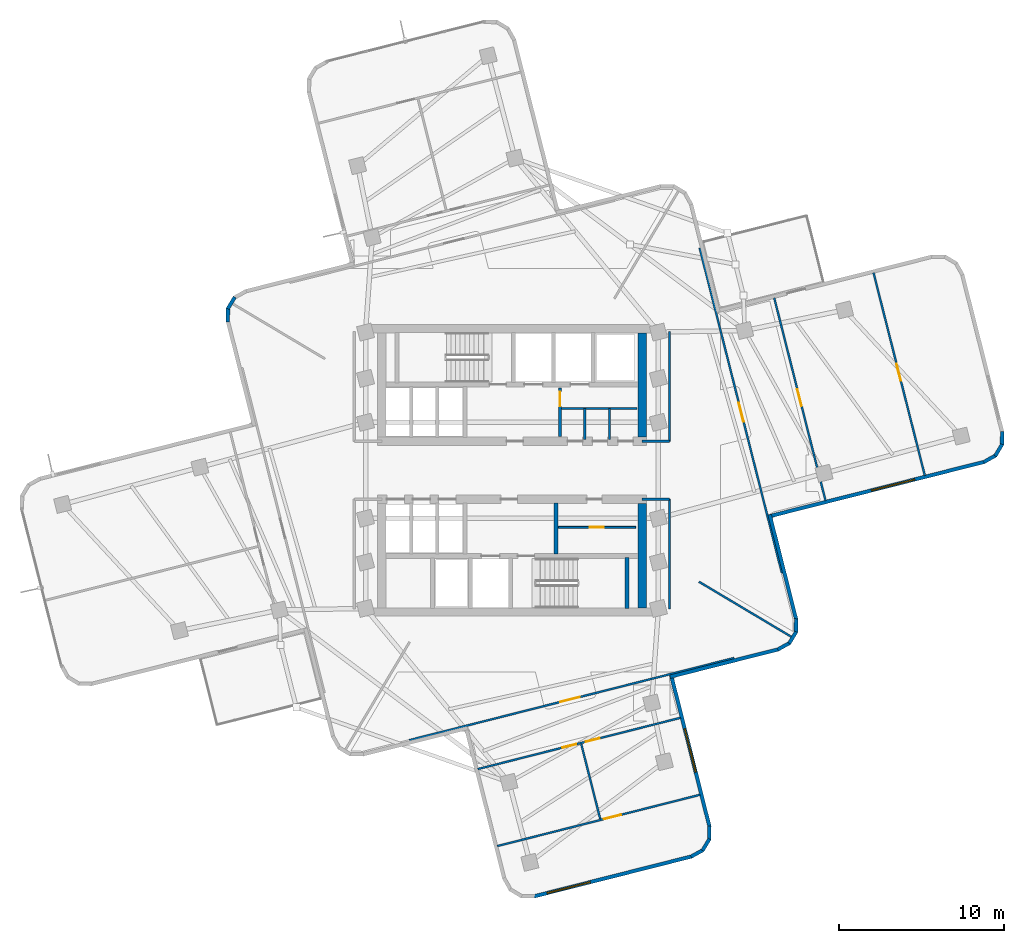
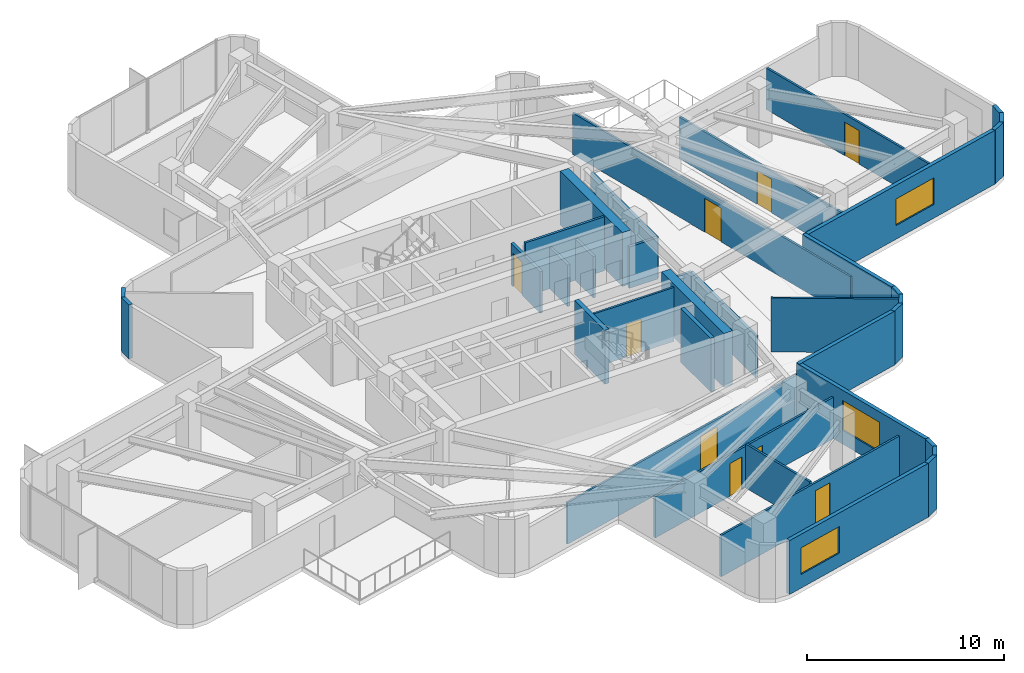
# One storey, part 7 of 11: 37 walls, 9 doors, 3 windows, 12 openings.
"""IFC4 building model written with IfcOpenShell, lengths in metres."""

from ifc_helpers import new_model, si_unit, direction, frame, frame_2d, origin, place, context, subcontext, project, spatial, rectangle, extrude, material, layer, layer_set, type_object, element, fill, save


model = new_model("IFC4")

# Units and contexts
model_context = context("Model", 3, precision=1e-05, world=origin(), true_north=direction((0.0, 1.0)))
body_context = subcontext(model_context, "Body", "Model", "MODEL_VIEW")
ifc_project = project(units=[si_unit("LENGTHUNIT", "METRE"), si_unit("AREAUNIT", "SQUARE_METRE"), si_unit("VOLUMEUNIT", "CUBIC_METRE"), si_unit("PLANEANGLEUNIT", "RADIAN"), si_unit("MASSUNIT", "GRAM", prefix="KILO")], contexts=[model_context])

# Site, building, storey
site_placement = place(None, origin())
site = spatial("IfcSite", under=ifc_project, at=site_placement, CompositionType="ELEMENT")
building_placement = place(site_placement, origin())
building = spatial("IfcBuilding", under=site, at=building_placement, Name="Solmarez Civic Tower", CompositionType="ELEMENT")
storey_placement = place(building_placement, frame((0.0, 0.0, 127.080078125)))
storey = spatial("IfcBuildingStorey", under=building, at=storey_placement, Name="L33", CompositionType="ELEMENT", Elevation=127.080078125)

# Walls
ifc_material_1 = material(Name="Concrete C60/75", Category="concrete")
ifc_layer_1 = layer(ifc_material_1, 0.5)
ifc_layer_set_1 = layer_set([ifc_layer_1], Name="Concrete C60/75")
wall_type_1 = type_object("IfcWallType", Name="WALL-CORE-500", PredefinedType="SHEAR", material=ifc_layer_set_1)
for number, where, z_axis, x_axis, name in (
    (1, (7.8701171875, 8.31005859375, 0.0), (0.0, 0.0, 1.0), (0.0, -1.0, 0.0), "L33 Split-Core Structural Wall NCW-E-L33"),
    (2, (7.8701171875, -2.0, 0.0), (0.0, 0.0, 1.0), (0.0, -1.0, 0.0), "L33 Split-Core Structural Wall SCW-E-L33"),
):
    element("IfcWall", number, at=place(storey_placement, frame(where, z_axis=z_axis, x_axis=x_axis)), inside=storey, type_object=wall_type_1, Name=name, PredefinedType="SHEAR", context=body_context, shape_type="SweptSolid", body=[
        extrude(rectangle(XDim=6.31005859375, YDim=0.5, at=frame_2d((3.155029296875, 0.0))), origin(), (0.0, 0.0, 1.0), 3.33984375),
    ])
ifc_material_2 = material(Name="Precast concrete C40/50", Category="concrete")
ifc_layer_2 = layer(ifc_material_2, 0.219970703125)
ifc_layer_set_2 = layer_set([ifc_layer_2], Name="Precast concrete C40/50")
wall_type_2 = type_object("IfcWallType", Name="WALL-EXT-220", PredefinedType="SOLIDWALL", material=ifc_layer_set_2)
wall_1_placement = place(storey_placement, frame((-17.172119140625, 8.972900390625, 0.0), z_axis=(0.0, 0.0, 1.0), x_axis=(0.013464821393, 0.999909345183, 0.0)))
element("IfcWall", 3, at=wall_1_placement, inside=storey, type_object=wall_type_2, Name="L33 Exterior Precast Wall 14", PredefinedType="SOLIDWALL", context=body_context, shape_type="SweptSolid", body=[
    extrude(rectangle(XDim=0.833984375, YDim=0.219970703125, at=frame_2d((0.4169921875, 0.0))), origin(), (0.0, 0.0, 1.0), 3.33984375),
])
wall_2_placement = place(storey_placement, frame((-17.174072265625, 9.760986328125, 0.0), z_axis=(0.0, 0.0, 1.0), x_axis=(0.512960801038, 0.858412031951, 0.0)))
element("IfcWall", 4, at=wall_2_placement, inside=storey, type_object=wall_type_2, Name="L33 Exterior Precast Wall 15", PredefinedType="SOLIDWALL", context=body_context, shape_type="SweptSolid", body=[
    extrude(rectangle(XDim=0.819091796875, YDim=0.219970703125, at=frame_2d((0.40966796875, 0.0))), origin(), (0.0, 0.0, 1.0), 3.33984375),
])
wall_3_placement = place(storey_placement, frame((29.623046875, 2.35693359375, 0.0), z_axis=(0.0, 0.0, 1.0), x_axis=(-0.013172159236, -0.999913243347, 0.0)))
element("IfcWall", 5, at=wall_3_placement, inside=storey, type_object=wall_type_2, Name="L33 Exterior Precast Wall 43", PredefinedType="SOLIDWALL", context=body_context, shape_type="SweptSolid", body=[
    extrude(rectangle(XDim=0.833984375, YDim=0.219970703125, at=frame_2d((0.4169921875, 0.0))), origin(), (0.0, 0.0, 1.0), 3.33984375),
])
wall_4_placement = place(storey_placement, frame((29.625, 1.569091796875, 0.0), z_axis=(0.0, 0.0, 1.0), x_axis=(-0.513266477087, -0.858229295409, 0.0)))
element("IfcWall", 6, at=wall_4_placement, inside=storey, type_object=wall_type_2, Name="L33 Exterior Precast Wall 44", PredefinedType="SOLIDWALL", context=body_context, shape_type="SweptSolid", body=[
    extrude(rectangle(XDim=0.818115234375, YDim=0.219970703125, at=frame_2d((0.4091796875, 0.0))), origin(), (0.0, 0.0, 1.0), 3.33984375),
])
wall_5_placement = place(storey_placement, frame((29.239990234375, 0.89990234375, 0.0), z_axis=(0.0, 0.0, 1.0), x_axis=(-0.873148499647, -0.487454303052, 0.0)))
element("IfcWall", 7, at=wall_5_placement, inside=storey, type_object=wall_type_2, Name="L33 Exterior Precast Wall 45", PredefinedType="SOLIDWALL", context=body_context, shape_type="SweptSolid", body=[
    extrude(rectangle(XDim=0.8349609375, YDim=0.219970703125, at=frame_2d((0.41748046875, 0.0))), origin(), (0.0, 0.0, 1.0), 3.33984375),
])

# Wall, opening, window
wall_6_placement = place(storey_placement, frame((28.556884765625, 0.510986328125, 0.0), z_axis=(0.0, 0.0, 1.0), x_axis=(-0.969429758912, -0.245368992613, 0.0)))
wall_6 = element("IfcWall", 8, at=wall_6_placement, inside=storey, type_object=wall_type_2, Name="L33 Exterior Precast Wall 46", PredefinedType="SOLIDWALL", context=body_context, shape_type="SweptSolid", body=[
    extrude(rectangle(XDim=13.457275390625, YDim=0.219970703125, at=frame_2d((6.728515625, 0.0))), origin(), (0.0, 0.0, 1.0), 3.33984375),
])
opening_1_placement = place(wall_6_placement, frame((4.35009765625, 0.0, 0.85009765625)))
opening_1 = element("IfcOpeningElement", 9, at=opening_1_placement, cuts=wall_6, Name="Opening W-09", PredefinedType="OPENING", context=body_context, shape_type="SweptSolid", body=[
    extrude(rectangle(XDim=2.699951171875, YDim=1.64990234375, at=frame_2d((1.35009765625, 0.824951171875))), frame((0.0, 0.119873046875, 0.0), z_axis=(0.0, -1.0, 0.0), x_axis=(1.0, 0.0, 0.0)), (0.0, 0.0, 1.0), 0.239990234375),
])
ifc_material_3 = material(Name="Solar Control Bronze-Tinted Insulating Glass", Category="glass")
window_type_1 = type_object("IfcWindowType", Name="WIN-2700X1650", PartitioningType="SINGLE_PANEL", PredefinedType="WINDOW", material=ifc_material_3)
window_1_placement = place(opening_1_placement, origin())
window_1 = element("IfcWindow", 10, at=window_1_placement, inside=storey, type_object=window_type_1, Name="L33 Exterior Facade Window 46", OverallHeight=1.64990234375, OverallWidth=2.699951171875, PartitioningType="SINGLE_PANEL", PredefinedType="WINDOW", context=body_context, shape_type="SweptSolid", body=[
    extrude(rectangle(XDim=2.699951171875, YDim=1.64990234375, at=frame_2d((1.35009765625, 0.824951171875))), frame((0.0, 0.030029296875, 0.0), z_axis=(0.0, -1.0, 0.0), x_axis=(1.0, 0.0, 0.0)), (0.0, 0.0, 1.0), 0.06005859375),
])
fill(opening_1, window_1)

# Walls
wall_7_placement = place(storey_placement, frame((15.573974609375, -2.68408203125, 0.0), z_axis=(0.0, 0.0, 1.0), x_axis=(0.245346347134, -0.969435490349, 0.0)))
element("IfcWall", 11, at=wall_7_placement, inside=storey, type_object=wall_type_2, Name="L33 Exterior Precast Wall 49", PredefinedType="SOLIDWALL", context=body_context, shape_type="SweptSolid", body=[
    extrude(rectangle(XDim=6.53759765625, YDim=0.219970703125, at=frame_2d((3.268798828125, 0.0))), origin(), (0.0, 0.0, 1.0), 3.33984375),
])
wall_8_placement = place(storey_placement, frame((17.172119140625, -8.972900390625, 0.0), z_axis=(0.0, 0.0, 1.0), x_axis=(-0.013464821393, -0.999909345183, 0.0)))
element("IfcWall", 12, at=wall_8_placement, inside=storey, type_object=wall_type_2, Name="L33 Exterior Precast Wall 50", PredefinedType="SOLIDWALL", context=body_context, shape_type="SweptSolid", body=[
    extrude(rectangle(XDim=0.833984375, YDim=0.219970703125, at=frame_2d((0.4169921875, 0.0))), origin(), (0.0, 0.0, 1.0), 3.33984375),
])
wall_9_placement = place(storey_placement, frame((17.174072265625, -9.760986328125, 0.0), z_axis=(0.0, 0.0, 1.0), x_axis=(-0.512960801038, -0.858412031951, 0.0)))
element("IfcWall", 13, at=wall_9_placement, inside=storey, type_object=wall_type_2, Name="L33 Exterior Precast Wall 51", PredefinedType="SOLIDWALL", context=body_context, shape_type="SweptSolid", body=[
    extrude(rectangle(XDim=0.819091796875, YDim=0.219970703125, at=frame_2d((0.40966796875, 0.0))), origin(), (0.0, 0.0, 1.0), 3.33984375),
])
wall_10_placement = place(storey_placement, frame((16.7890625, -10.430908203125, 0.0), z_axis=(0.0, 0.0, 1.0), x_axis=(-0.872870149311, -0.487952561671, 0.0)))
element("IfcWall", 14, at=wall_10_placement, inside=storey, type_object=wall_type_2, Name="L33 Exterior Precast Wall 52", PredefinedType="SOLIDWALL", context=body_context, shape_type="SweptSolid", body=[
    extrude(rectangle(XDim=0.833984375, YDim=0.219970703125, at=frame_2d((0.4169921875, 0.0))), origin(), (0.0, 0.0, 1.0), 3.33984375),
])
wall_11_placement = place(storey_placement, frame((16.10693359375, -10.820068359375, 0.0), z_axis=(0.0, 0.0, 1.0), x_axis=(-0.969443674581, -0.245314006561, 0.0)))
element("IfcWall", 15, at=wall_11_placement, inside=storey, type_object=wall_type_2, Name="L33 Exterior Precast Wall 53", PredefinedType="SOLIDWALL", context=body_context, shape_type="SweptSolid", body=[
    extrude(rectangle(XDim=6.758544921875, YDim=0.219970703125, at=frame_2d((3.37939453125, 0.0))), origin(), (0.0, 0.0, 1.0), 3.33984375),
])

# Wall, opening, window
wall_12_placement = place(storey_placement, frame((9.617919921875, -12.37109375, 0.0), z_axis=(0.0, 0.0, 1.0), x_axis=(0.245401293719, -0.969421582719, 0.0)))
wall_12 = element("IfcWall", 16, at=wall_12_placement, inside=storey, type_object=wall_type_2, Name="L33 Exterior Precast Wall 56", PredefinedType="SOLIDWALL", context=body_context, shape_type="SweptSolid", body=[
    extrude(rectangle(XDim=9.458251953125, YDim=0.219970703125, at=frame_2d((4.72900390625, 0.0))), origin(), (0.0, 0.0, 1.0), 3.33984375),
])
opening_2_placement = place(wall_12_placement, frame((3.35009765625, 0.0, 0.85009765625)))
opening_2 = element("IfcOpeningElement", 17, at=opening_2_placement, cuts=wall_12, Name="Opening W-05", PredefinedType="OPENING", context=body_context, shape_type="SweptSolid", body=[
    extrude(rectangle(XDim=2.699951171875, YDim=1.85009765625, at=frame_2d((1.35009765625, 0.925048828125))), frame((0.0, 0.119873046875, 0.0), z_axis=(0.0, -1.0, 0.0), x_axis=(1.0, 0.0, 0.0)), (0.0, 0.0, 1.0), 0.239990234375),
])
window_type_2 = type_object("IfcWindowType", Name="WIN-2700X1850", PartitioningType="SINGLE_PANEL", PredefinedType="WINDOW", material=ifc_material_3)
window_2_placement = place(opening_2_placement, origin())
window_2 = element("IfcWindow", 18, at=window_2_placement, inside=storey, type_object=window_type_2, Name="L33 Exterior Facade Window 56", OverallHeight=1.85009765625, OverallWidth=2.699951171875, PartitioningType="SINGLE_PANEL", PredefinedType="WINDOW", context=body_context, shape_type="SweptSolid", body=[
    extrude(rectangle(XDim=2.699951171875, YDim=1.85009765625, at=frame_2d((1.35009765625, 0.925048828125))), frame((0.0, 0.030029296875, 0.0), z_axis=(0.0, -1.0, 0.0), x_axis=(1.0, 0.0, 0.0)), (0.0, 0.0, 1.0), 0.06005859375),
])
fill(opening_2, window_2)

# Walls
wall_13_placement = place(storey_placement, frame((11.93310546875, -21.490966796875, 0.0), z_axis=(0.0, 0.0, 1.0), x_axis=(-0.013172159236, -0.999913243347, 0.0)))
element("IfcWall", 19, at=wall_13_placement, inside=storey, type_object=wall_type_2, Name="L33 Exterior Precast Wall 57", PredefinedType="SOLIDWALL", context=body_context, shape_type="SweptSolid", body=[
    extrude(rectangle(XDim=0.833984375, YDim=0.219970703125, at=frame_2d((0.4169921875, 0.0))), origin(), (0.0, 0.0, 1.0), 3.33984375),
])
wall_14_placement = place(storey_placement, frame((11.93505859375, -22.279052734375, 0.0), z_axis=(0.0, 0.0, 1.0), x_axis=(-0.513092073782, -0.858333573747, 0.0)))
element("IfcWall", 20, at=wall_14_placement, inside=storey, type_object=wall_type_2, Name="L33 Exterior Precast Wall 58", PredefinedType="SOLIDWALL", context=body_context, shape_type="SweptSolid", body=[
    extrude(rectangle(XDim=0.81884765625, YDim=0.219970703125, at=frame_2d((0.409423828125, 0.0))), origin(), (0.0, 0.0, 1.0), 3.33984375),
])
wall_15_placement = place(storey_placement, frame((11.550048828125, -22.948974609375, 0.0), z_axis=(0.0, 0.0, 1.0), x_axis=(-0.873646156661, -0.486561807946, 0.0)))
element("IfcWall", 21, at=wall_15_placement, inside=storey, type_object=wall_type_2, Name="L33 Exterior Precast Wall 59", PredefinedType="SOLIDWALL", context=body_context, shape_type="SweptSolid", body=[
    extrude(rectangle(XDim=0.83447265625, YDim=0.219970703125, at=frame_2d((0.417236328125, 0.0))), origin(), (0.0, 0.0, 1.0), 3.33984375),
])

# Wall, opening, window
wall_16_placement = place(storey_placement, frame((10.866943359375, -23.3369140625, 0.0), z_axis=(0.0, 0.0, 1.0), x_axis=(-0.96944386365, -0.245313259386, 0.0)))
wall_16 = element("IfcWall", 22, at=wall_16_placement, inside=storey, type_object=wall_type_2, Name="L33 Exterior Precast Wall 60", PredefinedType="SOLIDWALL", context=body_context, shape_type="SweptSolid", body=[
    extrude(rectangle(XDim=9.8408203125, YDim=0.219970703125, at=frame_2d((4.92041015625, 0.0))), origin(), (0.0, 0.0, 1.0), 3.33984375),
])
opening_3_placement = place(wall_16_placement, frame((6.325927734375, 0.0, 0.85009765625)))
opening_3 = element("IfcOpeningElement", 23, at=opening_3_placement, cuts=wall_16, Name="Opening W-09", PredefinedType="OPENING", context=body_context, shape_type="SweptSolid", body=[
    extrude(rectangle(XDim=2.699951171875, YDim=1.64990234375, at=frame_2d((1.35009765625, 0.824951171875))), frame((0.0, 0.119873046875, 0.0), z_axis=(0.0, -1.0, 0.0), x_axis=(1.0, 0.0, 0.0)), (0.0, 0.0, 1.0), 0.239990234375),
])
window_3_placement = place(opening_3_placement, origin())
window_3 = element("IfcWindow", 24, at=window_3_placement, inside=storey, type_object=window_type_1, Name="L33 Exterior Facade Window 60", OverallHeight=1.64990234375, OverallWidth=2.699951171875, PartitioningType="SINGLE_PANEL", PredefinedType="WINDOW", context=body_context, shape_type="SweptSolid", body=[
    extrude(rectangle(XDim=2.699951171875, YDim=1.64990234375, at=frame_2d((1.35009765625, 0.824951171875))), frame((0.0, 0.030029296875, 0.0), z_axis=(0.0, -1.0, 0.0), x_axis=(1.0, 0.0, 0.0)), (0.0, 0.0, 1.0), 0.06005859375),
])
fill(opening_3, window_3)

# Walls
ifc_material_4 = material(Name="Gypsum Board Acoustic Steel-Stud Partition", Category="steel")
ifc_layer_3 = layer(ifc_material_4, 0.14990234375)
ifc_layer_set_3 = layer_set([ifc_layer_3], Name="Gypsum Board Acoustic Steel-Stud Partition")
wall_type_3 = type_object("IfcWallType", Name="WALL-INT-FIRE-150", PredefinedType="PARTITIONING", material=ifc_layer_set_3)
wall_17_placement = place(storey_placement, frame((9.52001953125, 1.75, 0.0), z_axis=(0.0, 0.0, 1.0), x_axis=(0.0, 1.0, 0.0)))
element("IfcWall", 25, at=wall_17_placement, inside=storey, type_object=wall_type_3, Name="L33 Interior Partition CHW-L33-EN1", PredefinedType="PARTITIONING", context=body_context, shape_type="SweptSolid", body=[
    extrude(rectangle(XDim=6.6298828125, YDim=0.14990234375, at=frame_2d((3.31494140625, 0.0))), origin(), (0.0, 0.0, 1.0), 2.56982421875),
])
wall_18_placement = place(storey_placement, frame((7.85009765625, 1.75, 0.0), z_axis=(0.0, 0.0, 1.0), x_axis=(1.0, 0.0, 0.0)))
element("IfcWall", 26, at=wall_18_placement, inside=storey, type_object=wall_type_3, Name="L33 Interior Partition CHW-L33-EN3", PredefinedType="PARTITIONING", context=body_context, shape_type="SweptSolid", body=[
    extrude(rectangle(XDim=1.669921875, YDim=0.14990234375, at=frame_2d((0.8349609375, 0.0))), origin(), (0.0, 0.0, 1.0), 2.56982421875),
])
wall_19_placement = place(storey_placement, frame((9.52001953125, -8.3798828125, 0.0), z_axis=(0.0, 0.0, 1.0), x_axis=(0.0, 1.0, 0.0)))
element("IfcWall", 27, at=wall_19_placement, inside=storey, type_object=wall_type_3, Name="L33 Interior Partition CHW-L33-ES1", PredefinedType="PARTITIONING", context=body_context, shape_type="SweptSolid", body=[
    extrude(rectangle(XDim=6.6298828125, YDim=0.14990234375, at=frame_2d((3.31494140625, 0.0))), origin(), (0.0, 0.0, 1.0), 2.56982421875),
])
wall_20_placement = place(storey_placement, frame((7.85009765625, -1.75, 0.0), z_axis=(0.0, 0.0, 1.0), x_axis=(1.0, 0.0, 0.0)))
element("IfcWall", 28, at=wall_20_placement, inside=storey, type_object=wall_type_3, Name="L33 Interior Partition CHW-L33-ES3", PredefinedType="PARTITIONING", context=body_context, shape_type="SweptSolid", body=[
    extrude(rectangle(XDim=1.669921875, YDim=0.14990234375, at=frame_2d((0.8349609375, 0.0))), origin(), (0.0, 0.0, 1.0), 2.56982421875),
])

# Wall, opening, door
ifc_layer_4 = layer(ifc_material_4, 0.1201171875)
ifc_layer_set_4 = layer_set([ifc_layer_4], Name="Gypsum Board Acoustic Steel-Stud Partition")
wall_type_4 = type_object("IfcWallType", Name="WALL-INT-PART-120", PredefinedType="PARTITIONING", material=ifc_layer_set_4)
wall_21_placement = place(storey_placement, frame((2.800048828125, -3.449951171875, 0.0), z_axis=(0.0, 0.0, 1.0), x_axis=(1.0, 0.0, 0.0)))
wall_21 = element("IfcWall", 29, at=wall_21_placement, inside=storey, type_object=wall_type_4, Name="L33 Interior Partition PT-FPLL-L33", PredefinedType="PARTITIONING", context=body_context, shape_type="SweptSolid", body=[
    extrude(rectangle(XDim=4.679931640625, YDim=0.1201171875, at=frame_2d((2.33984375, 0.0))), origin(), (0.0, 0.0, 1.0), 3.33984375),
])
opening_4_placement = place(wall_21_placement, frame((1.89990234375, 0.0, 0.0)))
opening_4 = element("IfcOpeningElement", 30, at=opening_4_placement, cuts=wall_21, Name="Opening D-14", PredefinedType="OPENING", context=body_context, shape_type="SweptSolid", body=[
    extrude(rectangle(XDim=0.860107421875, YDim=2.0400390625, at=frame_2d((0.43017578125, 1.02001953125))), frame((0.0, 0.070068359375, 0.0), z_axis=(0.0, -1.0, 0.0), x_axis=(1.0, 0.0, 0.0)), (0.0, 0.0, 1.0), 0.14013671875),
])
ifc_material_5 = material(Name="Timber Storage and Pantry Door", Category="wood")
door_type_1 = type_object("IfcDoorType", Name="DOOR-INT-850", OperationType="NOTDEFINED", PredefinedType="DOOR", material=ifc_material_5)
door_1_placement = place(opening_4_placement, origin())
door_1 = element("IfcDoor", 31, at=door_1_placement, inside=storey, type_object=door_type_1, Name="L33 Records Filing Room Door", OperationType="SINGLE_SWING_LEFT", OverallHeight=2.0400390625, OverallWidth=0.860107421875, PredefinedType="DOOR", context=body_context, shape_type="SweptSolid", body=[
    extrude(rectangle(XDim=0.860107421875, YDim=2.0400390625, at=frame_2d((0.43017578125, 1.02001953125))), frame((0.0, 0.02490234375, 0.0), z_axis=(0.0, -1.0, 0.0), x_axis=(1.0, 0.0, 0.0)), (0.0, 0.0, 1.0), 0.050048828125),
])
fill(opening_4, door_1)

# Wall
wall_22_placement = place(storey_placement, frame((11.300048828125, -6.736083984375, 0.0), z_axis=(0.0, 0.0, 1.0), x_axis=(0.858979599017, -0.512009812868, 0.0)))
element("IfcWall", 32, at=wall_22_placement, inside=storey, type_object=wall_type_4, Name="L33 Interior Partition PT-L33-QDIV-4", PredefinedType="PARTITIONING", context=body_context, shape_type="SweptSolid", body=[
    extrude(rectangle(XDim=6.519287109375, YDim=0.1201171875, at=frame_2d((3.259765625, 0.0))), origin(), (0.0, 0.0, 1.0), 3.33984375),
])

# Wall, opening, door
wall_23_placement = place(storey_placement, frame((11.342041015625, 13.43310546875, 0.0), z_axis=(0.0, 0.0, 1.0), x_axis=(0.24525085526, -0.969459652587, 0.0)))
wall_23 = element("IfcWall", 33, at=wall_23_placement, inside=storey, type_object=wall_type_4, Name="L33 Interior Partition PT-L33-E-ENT", PredefinedType="PARTITIONING", context=body_context, shape_type="SweptSolid", body=[
    extrude(rectangle(XDim=20.2607421875, YDim=0.1201171875, at=frame_2d((10.13037109375, 0.0))), origin(), (0.0, 0.0, 1.0), 2.56982421875),
])
opening_5_placement = place(wall_23_placement, frame((9.639892578125, 0.0, 0.0)))
opening_5 = element("IfcOpeningElement", 34, at=opening_5_placement, cuts=wall_23, Name="Opening D-11", PredefinedType="OPENING", context=body_context, shape_type="SweptSolid", body=[
    extrude(rectangle(XDim=1.199951171875, YDim=2.10009765625, at=frame_2d((0.60009765625, 1.050048828125))), frame((0.0, 0.070068359375, 0.0), z_axis=(0.0, -1.0, 0.0), x_axis=(1.0, 0.0, 0.0)), (0.0, 0.0, 1.0), 0.14013671875),
])
ifc_material_6 = material(Name="Glazed-Vision Acoustic Chamber Door", Category="wood")
door_type_2 = type_object("IfcDoorType", Name="DOOR-INT-1200", OperationType="NOTDEFINED", PredefinedType="DOOR", material=ifc_material_6)
door_2_placement = place(opening_5_placement, origin())
door_2 = element("IfcDoor", 35, at=door_2_placement, inside=storey, type_object=door_type_2, Name="L33 Maritime Registry Ministry Open Workspace First East Door", OperationType="SINGLE_SWING_LEFT", OverallHeight=2.10009765625, OverallWidth=1.199951171875, PredefinedType="DOOR", context=body_context, shape_type="SweptSolid", body=[
    extrude(rectangle(XDim=1.199951171875, YDim=2.10009765625, at=frame_2d((0.60009765625, 1.050048828125))), frame((0.0, 0.02490234375, 0.0), z_axis=(0.0, -1.0, 0.0), x_axis=(1.0, 0.0, 0.0)), (0.0, 0.0, 1.0), 0.050048828125),
])
fill(opening_5, door_2)

wall_24_placement = place(storey_placement, frame((15.847900390625, 10.4208984375, 0.0), z_axis=(0.0, 0.0, 1.0), x_axis=(0.24530936383, -0.969444849394, 0.0)))
wall_24 = element("IfcWall", 36, at=wall_24_placement, inside=storey, type_object=wall_type_4, Name="L33 Interior Partition PT-L33-E-SC1", PredefinedType="PARTITIONING", context=body_context, shape_type="SweptSolid", body=[
    extrude(rectangle(XDim=12.6494140625, YDim=0.1201171875, at=frame_2d((6.32470703125, 0.0))), origin(), (0.0, 0.0, 1.0), 2.56982421875),
])
opening_6_placement = place(wall_24_placement, frame((5.68994140625, 0.0, 0.0)))
opening_6 = element("IfcOpeningElement", 37, at=opening_6_placement, cuts=wall_24, Name="Opening D-13", PredefinedType="OPENING", context=body_context, shape_type="SweptSolid", body=[
    extrude(rectangle(XDim=1.050048828125, YDim=2.080078125, at=frame_2d((0.52490234375, 1.0400390625))), frame((0.0, 0.070068359375, 0.0), z_axis=(0.0, -1.0, 0.0), x_axis=(1.0, 0.0, 0.0)), (0.0, 0.0, 1.0), 0.14013671875),
])
ifc_material_7 = material(Name="Timber Directorate Office Door", Category="wood")
door_type_3 = type_object("IfcDoorType", Name="DOOR-INT-1050", OperationType="NOTDEFINED", PredefinedType="DOOR", material=ifc_material_7)
door_3_placement = place(opening_6_placement, origin())
door_3 = element("IfcDoor", 38, at=door_3_placement, inside=storey, type_object=door_type_3, Name="L33 Directorate Office East Door", OperationType="SINGLE_SWING_LEFT", OverallHeight=2.080078125, OverallWidth=1.050048828125, PredefinedType="DOOR", context=body_context, shape_type="SweptSolid", body=[
    extrude(rectangle(XDim=1.050048828125, YDim=2.080078125, at=frame_2d((0.52490234375, 1.0400390625))), frame((0.0, 0.02490234375, 0.0), z_axis=(0.0, -1.0, 0.0), x_axis=(1.0, 0.0, 0.0)), (0.0, 0.0, 1.0), 0.050048828125),
])
fill(opening_6, door_3)

wall_25_placement = place(storey_placement, frame((21.84912109375, 11.93994140625, 0.0), z_axis=(0.0, 0.0, 1.0), x_axis=(0.245272867445, -0.969454083748, 0.0)))
wall_25 = element("IfcWall", 39, at=wall_25_placement, inside=storey, type_object=wall_type_4, Name="L33 Interior Partition PT-L33-E-SC2", PredefinedType="PARTITIONING", context=body_context, shape_type="SweptSolid", body=[
    extrude(rectangle(XDim=12.650390625, YDim=0.1201171875, at=frame_2d((6.3251953125, 0.0))), origin(), (0.0, 0.0, 1.0), 2.56982421875),
])
opening_7_placement = place(wall_25_placement, frame((5.68994140625, 0.0, 0.0)))
opening_7 = element("IfcOpeningElement", 40, at=opening_7_placement, cuts=wall_25, Name="Opening D-13", PredefinedType="OPENING", context=body_context, shape_type="SweptSolid", body=[
    extrude(rectangle(XDim=1.050048828125, YDim=2.080078125, at=frame_2d((0.52490234375, 1.0400390625))), frame((0.0, 0.070068359375, 0.0), z_axis=(0.0, -1.0, 0.0), x_axis=(1.0, 0.0, 0.0)), (0.0, 0.0, 1.0), 0.14013671875),
])
door_4_placement = place(opening_7_placement, origin())
door_4 = element("IfcDoor", 41, at=door_4_placement, inside=storey, type_object=door_type_3, Name="L33 Staff Pantry East Door", OperationType="SINGLE_SWING_RIGHT", OverallHeight=2.080078125, OverallWidth=1.050048828125, PredefinedType="DOOR", context=body_context, shape_type="SweptSolid", body=[
    extrude(rectangle(XDim=1.050048828125, YDim=2.080078125, at=frame_2d((0.52490234375, 1.0400390625))), frame((0.0, 0.02490234375, 0.0), z_axis=(0.0, -1.0, 0.0), x_axis=(1.0, 0.0, 0.0)), (0.0, 0.0, 1.0), 0.050048828125),
])
fill(opening_7, door_4)

wall_26_placement = place(storey_placement, frame((13.43310546875, -11.342041015625, 0.0), z_axis=(0.0, 0.0, 1.0), x_axis=(-0.969459652587, -0.24525085526, 0.0)))
wall_26 = element("IfcWall", 42, at=wall_26_placement, inside=storey, type_object=wall_type_4, Name="L33 Interior Partition PT-L33-S-ENT", PredefinedType="PARTITIONING", context=body_context, shape_type="SweptSolid", body=[
    extrude(rectangle(XDim=20.2607421875, YDim=0.1201171875, at=frame_2d((10.13037109375, 0.0))), origin(), (0.0, 0.0, 1.0), 2.56982421875),
])
opening_8_placement = place(wall_26_placement, frame((9.639892578125, 0.0, 0.0)))
opening_8 = element("IfcOpeningElement", 43, at=opening_8_placement, cuts=wall_26, Name="Opening D-11", PredefinedType="OPENING", context=body_context, shape_type="SweptSolid", body=[
    extrude(rectangle(XDim=1.199951171875, YDim=2.10009765625, at=frame_2d((0.60009765625, 1.050048828125))), frame((0.0, 0.070068359375, 0.0), z_axis=(0.0, -1.0, 0.0), x_axis=(1.0, 0.0, 0.0)), (0.0, 0.0, 1.0), 0.14013671875),
])
door_5_placement = place(opening_8_placement, origin())
door_5 = element("IfcDoor", 44, at=door_5_placement, inside=storey, type_object=door_type_2, Name="L33 Staff Pantry First South Door", OperationType="SINGLE_SWING_LEFT", OverallHeight=2.10009765625, OverallWidth=1.199951171875, PredefinedType="DOOR", context=body_context, shape_type="SweptSolid", body=[
    extrude(rectangle(XDim=1.199951171875, YDim=2.10009765625, at=frame_2d((0.60009765625, 1.050048828125))), frame((0.0, 0.02490234375, 0.0), z_axis=(0.0, -1.0, 0.0), x_axis=(1.0, 0.0, 0.0)), (0.0, 0.0, 1.0), 0.050048828125),
])
fill(opening_8, door_5)

# Wall
wall_27_placement = place(storey_placement, frame((4.18505859375, -16.5390625, 0.0), z_axis=(0.0, 0.0, 1.0), x_axis=(0.245296506438, -0.969448102752, 0.0)))
element("IfcWall", 45, at=wall_27_placement, inside=storey, type_object=wall_type_4, Name="L33 Interior Partition PT-L33-S-MM", PredefinedType="PARTITIONING", context=body_context, shape_type="SweptSolid", body=[
    extrude(rectangle(XDim=4.679931640625, YDim=0.1201171875, at=frame_2d((2.33984375, 0.0))), origin(), (0.0, 0.0, 1.0), 2.719970703125),
])

# Wall, openings, doors
wall_28_placement = place(storey_placement, frame((-2.068115234375, -18.05908203125, 0.0), z_axis=(0.0, 0.0, 1.0), x_axis=(0.969446010802, 0.245304773986, 0.0)))
wall_28 = element("IfcWall", 46, at=wall_28_placement, inside=storey, type_object=wall_type_4, Name="L33 Interior Partition PT-L33-S-S1", PredefinedType="PARTITIONING", context=body_context, shape_type="SweptSolid", body=[
    extrude(rectangle(XDim=12.649658203125, YDim=0.1201171875, at=frame_2d((6.32470703125, 0.0))), origin(), (0.0, 0.0, 1.0), 2.56982421875),
])
opening_9_placement = place(wall_28_placement, frame((5.284912109375, 0.0, 0.0)))
opening_9 = element("IfcOpeningElement", 47, at=opening_9_placement, cuts=wall_28, Name="Opening D-14", PredefinedType="OPENING", context=body_context, shape_type="SweptSolid", body=[
    extrude(rectangle(XDim=0.860107421875, YDim=2.0400390625, at=frame_2d((0.43017578125, 1.02001953125))), frame((0.0, 0.070068359375, 0.0), z_axis=(0.0, -1.0, 0.0), x_axis=(1.0, 0.0, 0.0)), (0.0, 0.0, 1.0), 0.14013671875),
])
opening_10_placement = place(wall_28_placement, frame((6.72509765625, 0.0, 0.0)))
opening_10 = element("IfcOpeningElement", 48, at=opening_10_placement, cuts=wall_28, Name="Opening D-14", PredefinedType="OPENING", context=body_context, shape_type="SweptSolid", body=[
    extrude(rectangle(XDim=0.860107421875, YDim=2.0400390625, at=frame_2d((0.43017578125, 1.02001953125))), frame((0.0, 0.070068359375, 0.0), z_axis=(0.0, -1.0, 0.0), x_axis=(1.0, 0.0, 0.0)), (0.0, 0.0, 1.0), 0.14013671875),
])
door_6_placement = place(opening_9_placement, origin())
door_6 = element("IfcDoor", 49, at=door_6_placement, inside=storey, type_object=door_type_1, Name="L33 Directorate Office Third South Door", OperationType="SINGLE_SWING_RIGHT", OverallHeight=2.0400390625, OverallWidth=0.860107421875, PredefinedType="DOOR", context=body_context, shape_type="SweptSolid", body=[
    extrude(rectangle(XDim=0.860107421875, YDim=2.0400390625, at=frame_2d((0.43017578125, 1.02001953125))), frame((0.0, 0.02490234375, 0.0), z_axis=(0.0, -1.0, 0.0), x_axis=(1.0, 0.0, 0.0)), (0.0, 0.0, 1.0), 0.050048828125),
])
fill(opening_9, door_6)
door_7_placement = place(opening_10_placement, origin())
door_7 = element("IfcDoor", 50, at=door_7_placement, inside=storey, type_object=door_type_1, Name="L33 Ministry Open Workspace Second South Door", OperationType="SINGLE_SWING_LEFT", OverallHeight=2.0400390625, OverallWidth=0.860107421875, PredefinedType="DOOR", context=body_context, shape_type="SweptSolid", body=[
    extrude(rectangle(XDim=0.860107421875, YDim=2.0400390625, at=frame_2d((0.43017578125, 1.02001953125))), frame((0.0, 0.02490234375, 0.0), z_axis=(0.0, -1.0, 0.0), x_axis=(1.0, 0.0, 0.0)), (0.0, 0.0, 1.0), 0.050048828125),
])
fill(opening_10, door_7)

# Wall, opening, door
wall_29_placement = place(storey_placement, frame((11.373046875, -19.60888671875, 0.0), z_axis=(0.0, 0.0, 1.0), x_axis=(-0.969432297029, -0.245358964534, 0.0)))
wall_29 = element("IfcWall", 51, at=wall_29_placement, inside=storey, type_object=wall_type_4, Name="L33 Interior Partition PT-L33-S-S2", PredefinedType="PARTITIONING", context=body_context, shape_type="SweptSolid", body=[
    extrude(rectangle(XDim=12.65087890625, YDim=0.1201171875, at=frame_2d((6.325439453125, 0.0))), origin(), (0.0, 0.0, 1.0), 2.56982421875),
])
opening_11_placement = place(wall_29_placement, frame((4.93994140625, 0.0, 0.0)))
opening_11 = element("IfcOpeningElement", 52, at=opening_11_placement, cuts=wall_29, Name="Opening D-13", PredefinedType="OPENING", context=body_context, shape_type="SweptSolid", body=[
    extrude(rectangle(XDim=1.050048828125, YDim=2.080078125, at=frame_2d((0.52490234375, 1.0400390625))), frame((0.0, 0.070068359375, 0.0), z_axis=(0.0, -1.0, 0.0), x_axis=(1.0, 0.0, 0.0)), (0.0, 0.0, 1.0), 0.14013671875),
])
door_8_placement = place(opening_11_placement, origin())
door_8 = element("IfcDoor", 53, at=door_8_placement, inside=storey, type_object=door_type_3, Name="L33 Policy Boardroom Fourth South Door", OperationType="SINGLE_SWING_LEFT", OverallHeight=2.080078125, OverallWidth=1.050048828125, PredefinedType="DOOR", context=body_context, shape_type="SweptSolid", body=[
    extrude(rectangle(XDim=1.050048828125, YDim=2.080078125, at=frame_2d((0.52490234375, 1.0400390625))), frame((0.0, 0.02490234375, 0.0), z_axis=(0.0, -1.0, 0.0), x_axis=(1.0, 0.0, 0.0)), (0.0, 0.0, 1.0), 0.050048828125),
])
fill(opening_11, door_8)

ifc_layer_5 = layer(ifc_material_4, 0.159912109375)
ifc_layer_set_5 = layer_set([ifc_layer_5], Name="Gypsum Board Acoustic Steel-Stud Partition")
wall_type_5 = type_object("IfcWallType", Name="WALL-INT-SHAFT-160", PredefinedType="PARTITIONING", material=ifc_layer_set_5)
wall_30_placement = place(storey_placement, frame((2.89990234375, 2.0400390625, 0.0), z_axis=(0.0, 0.0, 1.0), x_axis=(0.0, 1.0, 0.0)))
wall_30 = element("IfcWall", 54, at=wall_30_placement, inside=storey, type_object=wall_type_5, Name="L33 Interior Partition SHW-NL2-L33", PredefinedType="PARTITIONING", context=body_context, shape_type="SweptSolid", body=[
    extrude(rectangle(XDim=2.93994140625, YDim=0.159912109375, at=frame_2d((1.469970703125, 0.0))), origin(), (0.0, 0.0, 1.0), 2.56982421875),
])
opening_12_placement = place(wall_30_placement, frame((1.820068359375, 0.0, 0.0)))
opening_12 = element("IfcOpeningElement", 55, at=opening_12_placement, cuts=wall_30, Name="Opening D-09", PredefinedType="OPENING", context=body_context, shape_type="SweptSolid", body=[
    extrude(rectangle(XDim=0.89990234375, YDim=2.06005859375, at=frame_2d((0.449951171875, 1.030029296875))), frame((0.0, 0.08984375, 0.0), z_axis=(0.0, -1.0, 0.0), x_axis=(1.0, 0.0, 0.0)), (0.0, 0.0, 1.0), 0.179931640625),
])
ifc_material_8 = material(Name="Fire-Rated Service Core Door", Category="wood")
door_type_4 = type_object("IfcDoorType", Name="DOOR-FD60-900", OperationType="NOTDEFINED", PredefinedType="DOOR", material=ifc_material_8)
door_9_placement = place(opening_12_placement, origin())
door_9 = element("IfcDoor", 56, at=door_9_placement, inside=storey, type_object=door_type_4, Name="L33 Service Lift Lobby Door", OperationType="SINGLE_SWING_LEFT", OverallHeight=2.06005859375, OverallWidth=0.89990234375, PredefinedType="DOOR", context=body_context, shape_type="SweptSolid", body=[
    extrude(rectangle(XDim=0.89990234375, YDim=2.06005859375, at=frame_2d((0.449951171875, 1.030029296875))), frame((0.0, 0.02490234375, 0.0), z_axis=(0.0, -1.0, 0.0), x_axis=(1.0, 0.0, 0.0)), (0.0, 0.0, 1.0), 0.050048828125),
])
fill(opening_12, door_9)

# Walls
ifc_layer_6 = layer(ifc_material_4, 0.137939453125)
ifc_layer_set_6 = layer_set([ifc_layer_6], Name="Gypsum Board Acoustic Steel-Stud Partition")
wall_type_6 = type_object("IfcWallType", Name="WALL-INT-WET-140", PredefinedType="PARTITIONING", material=ifc_layer_set_6)
wall_31_placement = place(storey_placement, frame((2.89990234375, 3.739990234375, 0.0), z_axis=(0.0, 0.0, 1.0), x_axis=(1.0, 0.0, 0.0)))
element("IfcWall", 57, at=wall_31_placement, inside=storey, type_object=wall_type_6, Name="L33 Interior Partition SHW-SVH-L33", PredefinedType="PARTITIONING", context=body_context, shape_type="SweptSolid", body=[
    extrude(rectangle(XDim=4.650146484375, YDim=0.137939453125, at=frame_2d((2.3251953125, 0.0))), origin(), (0.0, 0.0, 1.0), 3.33984375),
])
for number, where, z_axis, x_axis, name in (
    (58, (4.39990234375, 1.85009765625, 0.0), (0.0, 0.0, 1.0), (0.0, 1.0, 0.0), "L33 Interior Partition PT-NCSV1-L33"),
    (59, (5.89990234375, 1.85009765625, 0.0), (0.0, 0.0, 1.0), (0.0, 1.0, 0.0), "L33 Interior Partition PT-NCSV2-L33"),
):
    element("IfcWall", number, at=place(storey_placement, frame(where, z_axis=z_axis, x_axis=x_axis)), inside=storey, type_object=wall_type_6, Name=name, PredefinedType="PARTITIONING", context=body_context, shape_type="SweptSolid", body=[
        extrude(rectangle(XDim=1.889892578125, YDim=0.137939453125, at=frame_2d((0.94482421875, 0.0))), origin(), (0.0, 0.0, 1.0), 2.56982421875),
    ])
ifc_material_9 = material(Name="Concrete C50/60", Category="concrete")
ifc_layer_7 = layer(ifc_material_9, 0.300048828125)
ifc_layer_set_7 = layer_set([ifc_layer_7], Name="Concrete C50/60")
wall_type_7 = type_object("IfcWallType", Name="WALL-STR-300", PredefinedType="SOLIDWALL", material=ifc_layer_set_7)
wall_32_placement = place(storey_placement, frame((6.949951171875, -8.340087890625, 0.0), z_axis=(0.0, 0.0, 1.0), x_axis=(0.0, 1.0, 0.0)))
element("IfcWall", 60, at=wall_32_placement, inside=storey, type_object=wall_type_7, Name="L33 Split-Core Structural Wall SHW-SE-L33", PredefinedType="SOLIDWALL", context=body_context, shape_type="SweptSolid", body=[
    extrude(rectangle(XDim=3.06005859375, YDim=0.219970703125, at=frame_2d((1.530029296875, 0.0))), origin(), (0.0, 0.0, 1.0), 3.33984375),
])
wall_33_placement = place(storey_placement, frame((2.64990234375, -5.050048828125, 0.0), z_axis=(0.0, 0.0, 1.0), x_axis=(0.0, 1.0, 0.0)))
element("IfcWall", 61, at=wall_33_placement, inside=storey, type_object=wall_type_7, Name="L33 Split-Core Structural Wall SHW-SL2-L33", PredefinedType="SOLIDWALL", context=body_context, shape_type="SweptSolid", body=[
    extrude(rectangle(XDim=3.070068359375, YDim=0.25, at=frame_2d((1.53515625, 0.0))), origin(), (0.0, 0.0, 1.0), 3.33984375),
])

save(model, "model.ifc")
